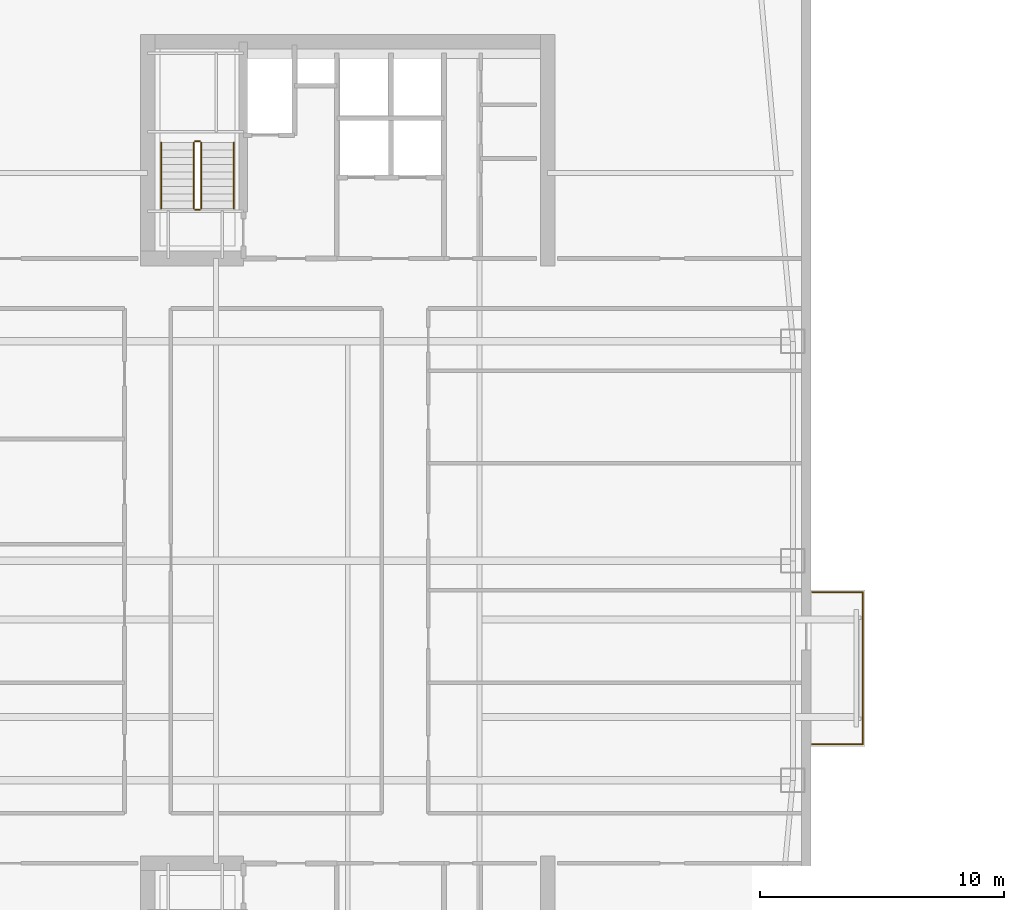
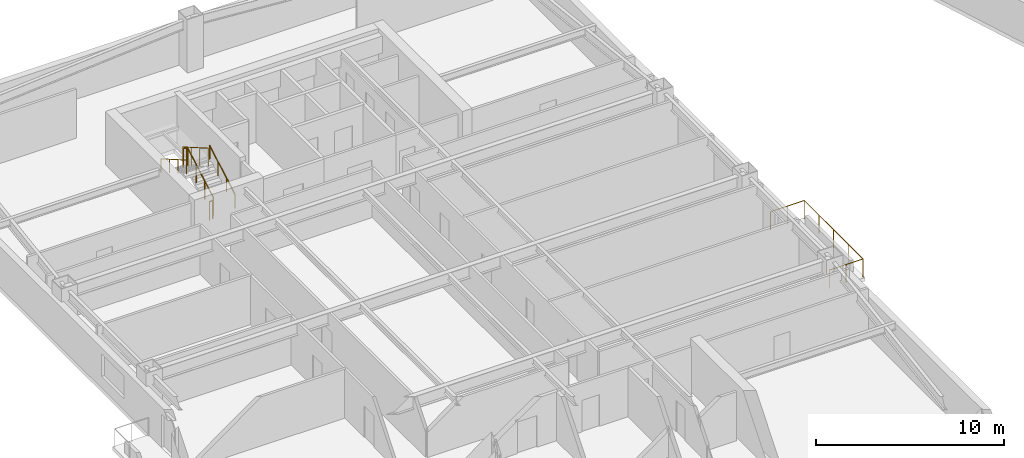
# One storey, part 12 of 14: 7 railings.
"""IFC4 building model written with IfcOpenShell, lengths in metres."""

from ifc_helpers import new_model, si_unit, direction, frame, origin, origin_2d, place, context, subcontext, project, spatial, circle, extrude, material, type_object, element, save


model = new_model("IFC4")

# Units and contexts
model_context = context("Model", 3, precision=1e-05, world=origin(), true_north=direction((0.0, 1.0)))
body_context = subcontext(model_context, "Body", "Model", "MODEL_VIEW")
ifc_project = project(units=[si_unit("LENGTHUNIT", "METRE"), si_unit("AREAUNIT", "SQUARE_METRE"), si_unit("VOLUMEUNIT", "CUBIC_METRE"), si_unit("PLANEANGLEUNIT", "RADIAN"), si_unit("MASSUNIT", "GRAM", prefix="KILO")], contexts=[model_context])

# Site, building, storey
site_placement = place(None, origin())
site = spatial("IfcSite", under=ifc_project, at=site_placement, CompositionType="ELEMENT")
building_placement = place(site_placement, origin())
building = spatial("IfcBuilding", under=site, at=building_placement, Name="Qiaolan Cultural Towers", CompositionType="ELEMENT")
storey_placement = place(building_placement, frame((0.0, 0.0, 103.5)))
storey = spatial("IfcBuildingStorey", under=building, at=storey_placement, Name="L26", CompositionType="ELEMENT", Elevation=103.5)

# Railings
ifc_material_1 = material(Name="Laminated SentryGlas & Stainless Steel S31608 Balustrade", Category="steel")
railing_type_1 = type_object("IfcRailingType", Name="GRD-TERR-1200", PredefinedType="BALUSTRADE", material=ifc_material_1)
railing_1_placement = place(storey_placement, frame((49.050048828125, 26.47998046875, 0.0)))
element("IfcRailing", 1, at=railing_1_placement, inside=storey, type_object=railing_type_1, Name="L26 T1 Tree Balcony Guardrail E", PredefinedType="BALUSTRADE", context=body_context, shape_type="SweptSolid", body=[
    extrude(circle(Radius=0.02392578125, at=origin_2d()), frame((0.0, 0.0, 1.17578125), z_axis=(1.0, 0.0, 0.0), x_axis=(0.0, 1.0, 0.0)), (0.0, 0.0, 1.0), 2.070068359375),
    extrude(circle(Radius=0.02392578125, at=origin_2d()), frame((2.070068359375, 0.0, 1.17578125), z_axis=(0.0, 1.0, 0.0), x_axis=(-1.0, 0.0, 0.0)), (0.0, 0.0, 1.0), 6.239990234375),
    extrude(circle(Radius=0.02392578125, at=origin_2d()), frame((2.070068359375, 6.239990234375, 1.17578125), z_axis=(-1.0, 0.0, 0.0), x_axis=(0.0, -1.0, 0.0)), (0.0, 0.0, 1.0), 2.070068359375),
    extrude(circle(Radius=0.02099609375, at=origin_2d()), origin(), (0.0, 0.0, 1.0), 1.15185546875),
    extrude(circle(Radius=0.02099609375, at=origin_2d()), frame((1.03515625, 0.0, 0.0)), (0.0, 0.0, 1.0), 1.15185546875),
    extrude(circle(Radius=0.02099609375, at=origin_2d()), frame((2.070068359375, 0.0, 0.0)), (0.0, 0.0, 1.0), 1.15185546875),
    extrude(circle(Radius=0.02099609375, at=origin_2d()), frame((2.070068359375, 1.56005859375, 0.0)), (0.0, 0.0, 1.0), 1.15185546875),
    extrude(circle(Radius=0.02099609375, at=origin_2d()), frame((2.070068359375, 3.1201171875, 0.0)), (0.0, 0.0, 1.0), 1.15185546875),
    extrude(circle(Radius=0.02099609375, at=origin_2d()), frame((2.070068359375, 4.679931640625, 0.0)), (0.0, 0.0, 1.0), 1.15185546875),
    extrude(circle(Radius=0.02099609375, at=origin_2d()), frame((2.070068359375, 6.239990234375, 0.0)), (0.0, 0.0, 1.0), 1.15185546875),
    extrude(circle(Radius=0.02099609375, at=origin_2d()), frame((1.03515625, 6.239990234375, 0.0)), (0.0, 0.0, 1.0), 1.15185546875),
    extrude(circle(Radius=0.02099609375, at=origin_2d()), frame((0.0, 6.239990234375, 0.0)), (0.0, 0.0, 1.0), 1.15185546875),
])
ifc_material_2 = material(Name="Galvanized Painted Steel Stair Guardrail", Category="steel")
railing_type_2 = type_object("IfcRailingType", Name="RL-STAIR-GRD", PredefinedType="GUARDRAIL", material=ifc_material_2)
railing_2_placement = place(storey_placement, frame((23.989990234375, 48.449951171875, 0.172607421875)))
element("IfcRailing", 2, at=railing_2_placement, inside=storey, type_object=railing_type_2, Name="L26 ST-W2 stair guard 1", PredefinedType="GUARDRAIL", context=body_context, shape_type="SweptSolid", body=[
    extrude(circle(Radius=0.02392578125, at=origin_2d()), frame((0.0, 0.0, 1.17578125), z_axis=(0.0, 0.866903762492, 0.498475542607), x_axis=(-1.0, 0.0, 0.0)), (0.0, 0.0, 1.0), 3.114501953125),
    extrude(circle(Radius=0.02099609375, at=origin_2d()), origin(), (0.0, 0.0, 1.0), 1.15185546875),
    extrude(circle(Radius=0.02099609375, at=origin_2d()), frame((0.0, 0.89990234375, 0.517578125)), (0.0, 0.0, 1.0), 1.15185546875),
    extrude(circle(Radius=0.02099609375, at=origin_2d()), frame((0.0, 1.800048828125, 1.034912109375)), (0.0, 0.0, 1.0), 1.15185546875),
    extrude(circle(Radius=0.02099609375, at=origin_2d()), frame((0.0, 2.699951171875, 1.552490234375)), (0.0, 0.0, 1.0), 1.15185546875),
])
railing_3_placement = place(storey_placement, frame((23.93994140625, 51.199951171875, 1.72509765625)))
element("IfcRailing", 3, at=railing_3_placement, inside=storey, type_object=railing_type_2, Name="L26 ST-W2 stair guard 2", PredefinedType="GUARDRAIL", context=body_context, shape_type="SweptSolid", body=[
    extrude(circle(Radius=0.02392578125, at=origin_2d()), frame((0.0, 0.0, 1.17578125), z_axis=(-1.0, 0.0, 0.0), x_axis=(0.0, -1.0, 0.0)), (0.0, 0.0, 1.0), 0.199951171875),
    extrude(circle(Radius=0.02099609375, at=origin_2d()), origin(), (0.0, 0.0, 1.0), 1.15185546875),
    extrude(circle(Radius=0.02099609375, at=origin_2d()), frame((-0.199951171875, 0.0, 0.0)), (0.0, 0.0, 1.0), 1.15185546875),
])
railing_4_placement = place(storey_placement, frame((23.68994140625, 51.14990234375, 1.8974609375)))
element("IfcRailing", 4, at=railing_4_placement, inside=storey, type_object=railing_type_2, Name="L26 ST-W2 stair guard 3", PredefinedType="GUARDRAIL", context=body_context, shape_type="SweptSolid", body=[
    extrude(circle(Radius=0.02392578125, at=origin_2d()), frame((0.0, 0.0, 1.17578125), z_axis=(0.0, -0.866903762492, 0.498475542607), x_axis=(1.0, 0.0, 0.0)), (0.0, 0.0, 1.0), 3.114501953125),
    extrude(circle(Radius=0.02099609375, at=origin_2d()), origin(), (0.0, 0.0, 1.0), 1.15185546875),
    extrude(circle(Radius=0.02099609375, at=origin_2d()), frame((0.0, -0.89990234375, 0.517578125)), (0.0, 0.0, 1.0), 1.15185546875),
    extrude(circle(Radius=0.02099609375, at=origin_2d()), frame((0.0, -1.800048828125, 1.034912109375)), (0.0, 0.0, 1.0), 1.15185546875),
    extrude(circle(Radius=0.02099609375, at=origin_2d()), frame((0.0, -2.699951171875, 1.552490234375)), (0.0, 0.0, 1.0), 1.15185546875),
])
railing_5_placement = place(storey_placement, frame((23.93994140625, 48.39990234375, 0.0)))
element("IfcRailing", 5, at=railing_5_placement, inside=storey, type_object=railing_type_2, Name="L26 ST-W2 stair guard 4", PredefinedType="GUARDRAIL", context=body_context, shape_type="SweptSolid", body=[
    extrude(circle(Radius=0.02392578125, at=origin_2d()), frame((0.0, 0.0, 1.17578125), z_axis=(-1.0, 0.0, 0.0), x_axis=(0.0, -1.0, 0.0)), (0.0, 0.0, 1.0), 0.199951171875),
    extrude(circle(Radius=0.02099609375, at=origin_2d()), origin(), (0.0, 0.0, 1.0), 1.15185546875),
    extrude(circle(Radius=0.02099609375, at=origin_2d()), frame((-0.199951171875, 0.0, 0.0)), (0.0, 0.0, 1.0), 1.15185546875),
])
ifc_material_3 = material(Name="Stainless Steel S30408 Tubular Handrail", Category="steel")
railing_type_3 = type_object("IfcRailingType", Name="RL-STAIR-HR", PredefinedType="HANDRAIL", material=ifc_material_3)
railing_6_placement = place(storey_placement, frame((25.330078125, 48.449951171875, 0.172607421875)))
element("IfcRailing", 6, at=railing_6_placement, inside=storey, type_object=railing_type_3, Name="L26 ST-W2 stair handrail 1", PredefinedType="HANDRAIL", context=body_context, shape_type="SweptSolid", body=[
    extrude(circle(Radius=0.02392578125, at=origin_2d()), frame((0.0, 0.0, 0.8759765625), z_axis=(0.0, 0.866903762492, 0.498475542607), x_axis=(-1.0, 0.0, 0.0)), (0.0, 0.0, 1.0), 3.114501953125),
    extrude(circle(Radius=0.02099609375, at=origin_2d()), origin(), (0.0, 0.0, 1.0), 0.851806640625),
    extrude(circle(Radius=0.02099609375, at=origin_2d()), frame((0.0, 0.89990234375, 0.517578125)), (0.0, 0.0, 1.0), 0.851806640625),
    extrude(circle(Radius=0.02099609375, at=origin_2d()), frame((0.0, 1.800048828125, 1.034912109375)), (0.0, 0.0, 1.0), 0.851806640625),
    extrude(circle(Radius=0.02099609375, at=origin_2d()), frame((0.0, 2.699951171875, 1.552490234375)), (0.0, 0.0, 1.0), 0.851806640625),
])
railing_7_placement = place(storey_placement, frame((22.35009765625, 51.14990234375, 1.8974609375)))
element("IfcRailing", 7, at=railing_7_placement, inside=storey, type_object=railing_type_3, Name="L26 ST-W2 stair handrail 2", PredefinedType="HANDRAIL", context=body_context, shape_type="SweptSolid", body=[
    extrude(circle(Radius=0.02392578125, at=origin_2d()), frame((0.0, 0.0, 0.8759765625), z_axis=(0.0, -0.866903762492, 0.498475542607), x_axis=(1.0, 0.0, 0.0)), (0.0, 0.0, 1.0), 3.114501953125),
    extrude(circle(Radius=0.02099609375, at=origin_2d()), origin(), (0.0, 0.0, 1.0), 0.851806640625),
    extrude(circle(Radius=0.02099609375, at=origin_2d()), frame((0.0, -0.89990234375, 0.517578125)), (0.0, 0.0, 1.0), 0.851806640625),
    extrude(circle(Radius=0.02099609375, at=origin_2d()), frame((0.0, -1.800048828125, 1.034912109375)), (0.0, 0.0, 1.0), 0.851806640625),
    extrude(circle(Radius=0.02099609375, at=origin_2d()), frame((0.0, -2.699951171875, 1.552490234375)), (0.0, 0.0, 1.0), 0.851806640625),
])

save(model, "model.ifc")
